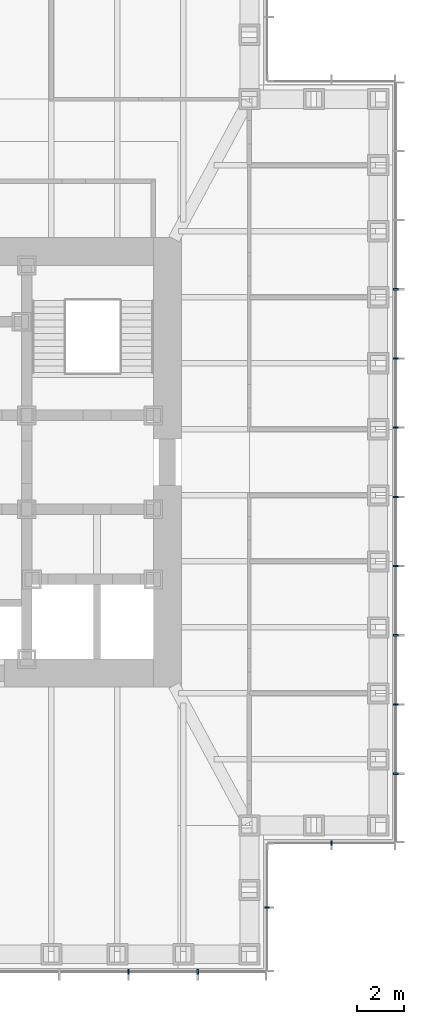
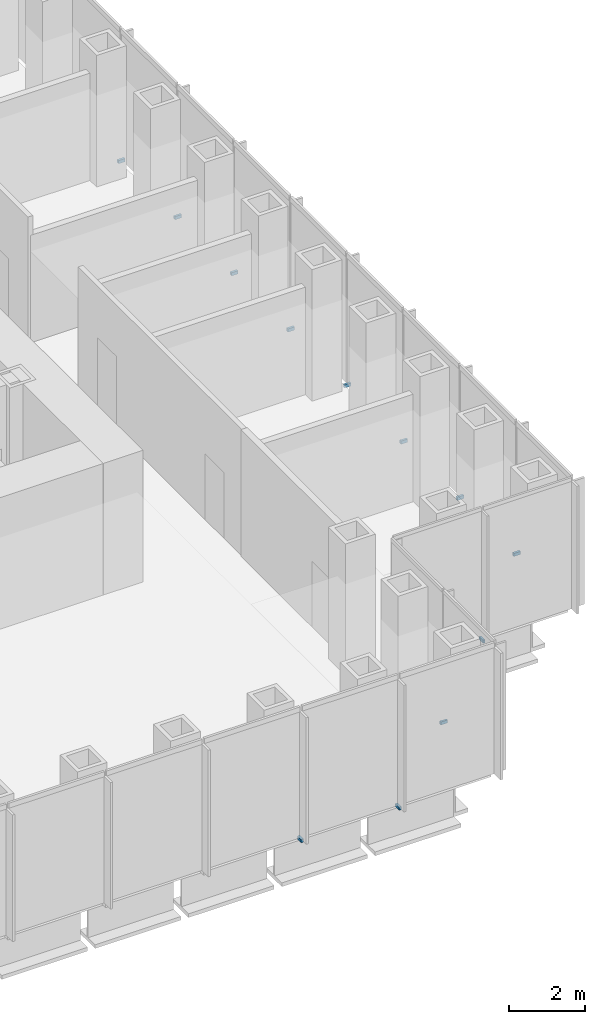
# One storey, part 13 of 16: 12 discrete accessories.
"""IFC4 building model written with IfcOpenShell, lengths in metres."""

from ifc_helpers import new_model, si_unit, direction, frame, origin, origin_2d, place, context, subcontext, project, spatial, rectangle, extrude, element, save


model = new_model("IFC4")

# Units and contexts
model_context = context("Model", 3, precision=1e-05, world=origin(), true_north=direction((0.0, 1.0)))
body_context = subcontext(model_context, "Body", "Model", "MODEL_VIEW")
ifc_project = project(units=[si_unit("LENGTHUNIT", "METRE"), si_unit("AREAUNIT", "SQUARE_METRE"), si_unit("VOLUMEUNIT", "CUBIC_METRE"), si_unit("PLANEANGLEUNIT", "RADIAN"), si_unit("MASSUNIT", "GRAM", prefix="KILO")], contexts=[model_context])

# Site, building, storey
site_placement = place(None, origin())
site = spatial("IfcSite", under=ifc_project, at=site_placement, CompositionType="ELEMENT")
building_placement = place(site_placement, origin())
building = spatial("IfcBuilding", under=site, at=building_placement, Name="Daluyong Arena Tower", CompositionType="ELEMENT")
storey_placement = place(building_placement, frame((0.0, 0.0, 210.699951171875)))
storey = spatial("IfcBuildingStorey", under=building, at=storey_placement, Name="L47", CompositionType="ELEMENT", Elevation=210.699951171875)

# Discrete accessories
for number, where, z_axis, x_axis, name in (
    (1, (66.3408203125, 58.25, -0.10009765625), (0.0, 0.0, 1.0), (1.0, 0.0, 0.0), "curtain wall L47 S anchor bracket 10"),
    (2, (69.29541015625, 58.25, -0.10009765625), (0.0, 0.0, 1.0), (1.0, 0.0, 0.0), "curtain wall L47 S anchor bracket 11"),
):
    element("IfcDiscreteAccessory", number, at=place(storey_placement, frame(where, z_axis=z_axis, x_axis=x_axis)), inside=storey, Name=name, PredefinedType="BRACKET", context=body_context, shape_type="SweptSolid", body=[
        extrude(rectangle(XDim=0.070068359375, YDim=0.199951171875, at=origin_2d()), origin(), (0.0, 0.0, 1.0), 0.10009765625),
    ])
for number, where, z_axis, x_axis, name in (
    (3, (72.25, 61.0, -0.10009765625), (0.0, 0.0, 1.0), (0.0, 1.0, 0.0), "curtain wall L47 SE-E anchor bracket 2"),
    (4, (75.0, 63.75, -0.10009765625), (0.0, 0.0, 1.0), (1.0, 0.0, 0.0), "curtain wall L47 SE-S anchor bracket 2"),
):
    element("IfcDiscreteAccessory", number, at=place(storey_placement, frame(where, z_axis=z_axis, x_axis=x_axis)), inside=storey, Name=name, PredefinedType="BRACKET", context=body_context, shape_type="SweptSolid", body=[
        extrude(rectangle(XDim=0.06005859375, YDim=0.199951171875, at=origin_2d()), origin(), (0.0, 0.0, 1.0), 0.10009765625),
    ])
for number, where, z_axis, x_axis, name in (
    (5, (77.75, 66.70458984375, -0.10009765625), (0.0, 0.0, 1.0), (0.0, 1.0, 0.0), "curtain wall L47 E anchor bracket 2"),
    (6, (77.75, 69.6591796875, -0.10009765625), (0.0, 0.0, 1.0), (0.0, 1.0, 0.0), "curtain wall L47 E anchor bracket 3"),
    (7, (77.75, 72.613525390625, -0.10009765625), (0.0, 0.0, 1.0), (0.0, 1.0, 0.0), "curtain wall L47 E anchor bracket 4"),
    (8, (77.75, 75.568115234375, -0.10009765625), (0.0, 0.0, 1.0), (0.0, 1.0, 0.0), "curtain wall L47 E anchor bracket 5"),
    (9, (77.75, 78.522705078125, -0.10009765625), (0.0, 0.0, 1.0), (0.0, 1.0, 0.0), "curtain wall L47 E anchor bracket 6"),
    (10, (77.75, 81.477294921875, -0.10009765625), (0.0, 0.0, 1.0), (0.0, 1.0, 0.0), "curtain wall L47 E anchor bracket 7"),
    (11, (77.75, 84.431884765625, -0.10009765625), (0.0, 0.0, 1.0), (0.0, 1.0, 0.0), "curtain wall L47 E anchor bracket 8"),
    (12, (77.75, 87.386474609375, -0.10009765625), (0.0, 0.0, 1.0), (0.0, 1.0, 0.0), "curtain wall L47 E anchor bracket 9"),
):
    element("IfcDiscreteAccessory", number, at=place(storey_placement, frame(where, z_axis=z_axis, x_axis=x_axis)), inside=storey, Name=name, PredefinedType="BRACKET", context=body_context, shape_type="SweptSolid", body=[
        extrude(rectangle(XDim=0.070068359375, YDim=0.199951171875, at=origin_2d()), origin(), (0.0, 0.0, 1.0), 0.10009765625),
    ])

save(model, "model.ifc")
